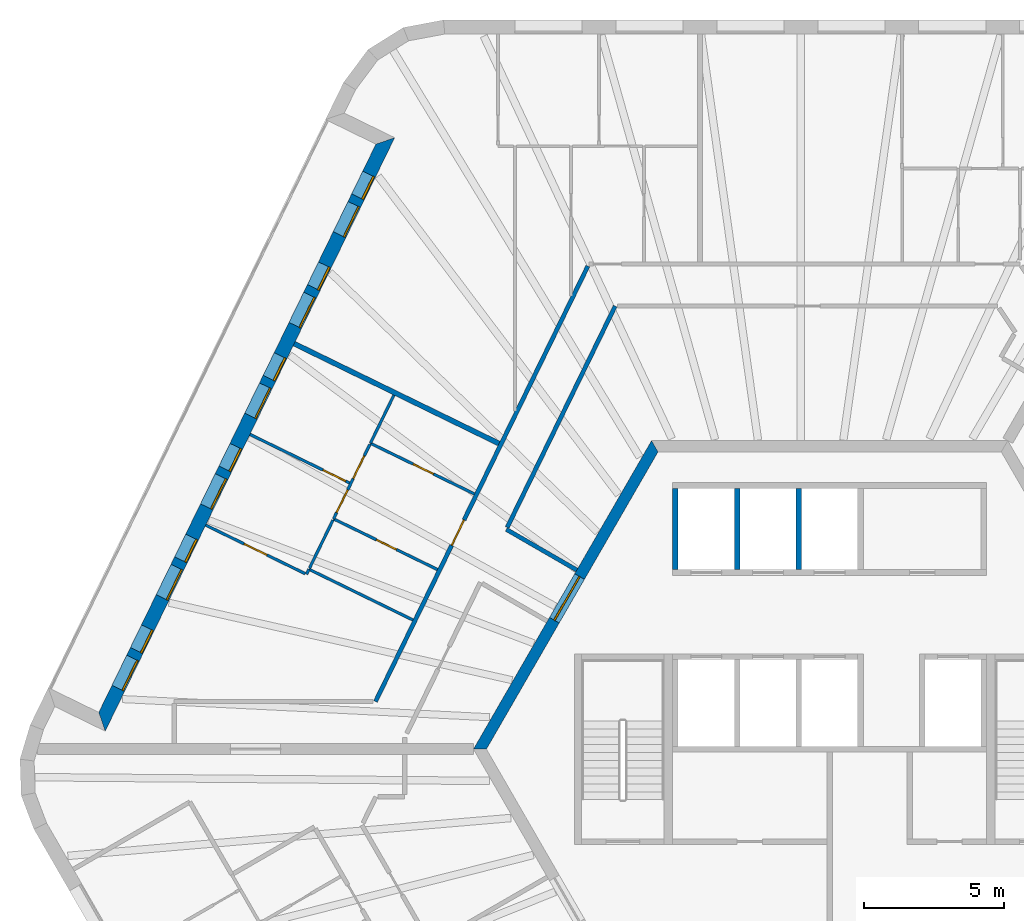
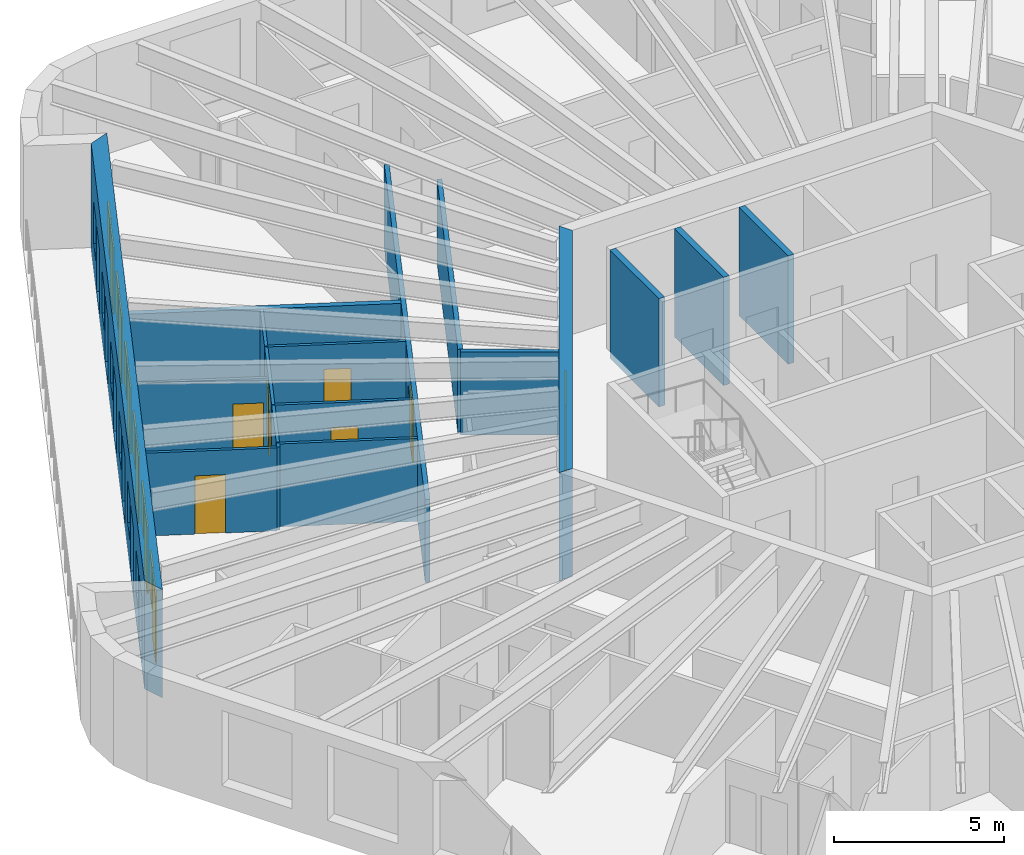
# One storey, part 8 of 12: 18 walls, 14 doors, 6 windows, 20 openings.
"""IFC4 building model written with IfcOpenShell, lengths in metres."""

from ifc_helpers import new_model, si_unit, direction, frame, frame_2d, origin, place, context, subcontext, project, spatial, polyline, rectangle, outline, extrude, material, layer, layer_set, type_object, element, fill, save


model = new_model("IFC4")

# Units and contexts
model_context = context("Model", 3, precision=1e-05, world=origin(), true_north=direction((0.0, 1.0)))
body_context = subcontext(model_context, "Body", "Model", "MODEL_VIEW")
ifc_project = project(units=[si_unit("LENGTHUNIT", "METRE"), si_unit("AREAUNIT", "SQUARE_METRE"), si_unit("VOLUMEUNIT", "CUBIC_METRE"), si_unit("PLANEANGLEUNIT", "RADIAN"), si_unit("MASSUNIT", "GRAM", prefix="KILO")], contexts=[model_context])

# Site, building, storey
site_placement = place(None, origin())
site = spatial("IfcSite", under=ifc_project, at=site_placement, CompositionType="ELEMENT")
building_placement = place(site_placement, origin())
building = spatial("IfcBuilding", under=site, at=building_placement, Name="Tarnside Tower", CompositionType="ELEMENT")
storey_placement = place(building_placement, frame((0.0, 0.0, 283.5)))
storey = spatial("IfcBuildingStorey", under=building, at=storey_placement, Name="L68", CompositionType="ELEMENT", Elevation=283.5)

# Wall
ifc_material_1 = material(Name="Gypsum board partition on steel studs", Category="steel")
ifc_layer_1 = layer(ifc_material_1, 0.10009765625)
ifc_layer_set_1 = layer_set([ifc_layer_1], Name="Bathroom wall 100")
wall_type_1 = type_object("IfcWallType", Name="Bathroom wall 100", PredefinedType="PARTITIONING", material=ifc_layer_set_1)
wall_1_placement = place(storey_placement, frame((-14.860107421875, 4.60498046875, 0.0), z_axis=(0.0, 0.0, 1.0), x_axis=(-0.898787215731, 0.438385151252, 0.0)))
element("IfcWall", 1, at=wall_1_placement, inside=storey, type_object=wall_type_1, Name="Bathroom wall 22109", PredefinedType="PARTITIONING", context=body_context, shape_type="SweptSolid", body=[
    extrude(rectangle(XDim=4.125, YDim=0.10009765625, at=frame_2d((2.0625, 0.0))), origin(), (0.0, 0.0, 1.0), 2.98779296875),
])

# Wall, opening, door
wall_2_placement = place(storey_placement, frame((-12.66845703125, 9.09912109375, 0.0), z_axis=(0.0, 0.0, 1.0), x_axis=(-0.898810534939, 0.438337338454, 0.0)))
wall_2 = element("IfcWall", 2, at=wall_2_placement, inside=storey, type_object=wall_type_1, Name="Bathroom wall 22110", PredefinedType="PARTITIONING", context=body_context, shape_type="SweptSolid", body=[
    extrude(rectangle(XDim=4.125, YDim=0.10009765625, at=frame_2d((2.0625, 0.0))), origin(), (0.0, 0.0, 1.0), 2.98779296875),
])
opening_1_placement = place(wall_2_placement, frame((1.625, 0.0, 0.0)))
opening_1 = element("IfcOpeningElement", 3, at=opening_1_placement, cuts=wall_2, Name="Opening D-B1", PredefinedType="OPENING", context=body_context, shape_type="SweptSolid", body=[
    extrude(rectangle(XDim=0.800048828125, YDim=2.10009765625, at=frame_2d((0.39990234375, 1.050048828125))), frame((0.0, 0.06005859375, 0.0), z_axis=(0.0, -1.0, 0.0), x_axis=(1.0, 0.0, 0.0)), (0.0, 0.0, 1.0), 0.1201171875),
])
ifc_material_2 = material(Name="Timber door leaf", Category="wood")
door_type_1 = type_object("IfcDoorType", Name="Bathroom door 800", OperationType="NOTDEFINED", PredefinedType="DOOR", material=ifc_material_2)
door_1_placement = place(opening_1_placement, origin())
door_1 = element("IfcDoor", 4, at=door_1_placement, inside=storey, type_object=door_type_1, Name="Bathroom door 22022", OperationType="SINGLE_SWING_RIGHT", OverallHeight=2.10009765625, OverallWidth=0.800048828125, PredefinedType="DOOR", context=body_context, shape_type="SweptSolid", body=[
    extrude(rectangle(XDim=0.800048828125, YDim=2.10009765625, at=frame_2d((0.39990234375, 1.050048828125))), frame((0.0, 0.02490234375, 0.0), z_axis=(0.0, -1.0, 0.0), x_axis=(1.0, 0.0, 0.0)), (0.0, 0.0, 1.0), 0.050048828125),
])
fill(opening_1, door_1)

wall_3_placement = place(storey_placement, frame((-17.69091796875, 8.2109375, 0.0), z_axis=(0.0, 0.0, 1.0), x_axis=(0.898787215731, -0.438385151252, 0.0)))
wall_3 = element("IfcWall", 5, at=wall_3_placement, inside=storey, type_object=wall_type_1, Name="Bathroom wall 22113", PredefinedType="PARTITIONING", context=body_context, shape_type="SweptSolid", body=[
    extrude(rectangle(XDim=4.125, YDim=0.10009765625, at=frame_2d((2.0625, 0.0))), origin(), (0.0, 0.0, 1.0), 2.98779296875),
])
opening_2_placement = place(wall_3_placement, frame((1.699951171875, 0.0, 0.0)))
opening_2 = element("IfcOpeningElement", 6, at=opening_2_placement, cuts=wall_3, Name="Opening D-B1", PredefinedType="OPENING", context=body_context, shape_type="SweptSolid", body=[
    extrude(rectangle(XDim=0.800048828125, YDim=2.10009765625, at=frame_2d((0.39990234375, 1.050048828125))), frame((0.0, 0.06005859375, 0.0), z_axis=(0.0, -1.0, 0.0), x_axis=(1.0, 0.0, 0.0)), (0.0, 0.0, 1.0), 0.1201171875),
])
door_2_placement = place(opening_2_placement, origin())
door_2 = element("IfcDoor", 7, at=door_2_placement, inside=storey, type_object=door_type_1, Name="Bathroom door 22029", OperationType="SINGLE_SWING_LEFT", OverallHeight=2.10009765625, OverallWidth=0.800048828125, PredefinedType="DOOR", context=body_context, shape_type="SweptSolid", body=[
    extrude(rectangle(XDim=0.800048828125, YDim=2.10009765625, at=frame_2d((0.39990234375, 1.050048828125))), frame((0.0, 0.02490234375, 0.0), z_axis=(0.0, -1.0, 0.0), x_axis=(1.0, 0.0, 0.0)), (0.0, 0.0, 1.0), 0.050048828125),
])
fill(opening_2, door_2)

# Walls
wall_4_placement = place(storey_placement, frame((-15.53857421875, 12.6240234375, 0.0), z_axis=(0.0, 0.0, 1.0), x_axis=(-0.438355705964, -0.898801577128, 0.0)))
element("IfcWall", 8, at=wall_4_placement, inside=storey, type_object=wall_type_1, Name="Bathroom wall 22114", PredefinedType="PARTITIONING", context=body_context, shape_type="SweptSolid", body=[
    extrude(rectangle(XDim=1.912109375, YDim=0.10009765625, at=frame_2d((0.9560546875, 0.0))), origin(), (0.0, 0.0, 1.0), 2.98779296875),
])
wall_5_placement = place(storey_placement, frame((-18.5458984375, 6.458251953125, 0.0), z_axis=(0.0, 0.0, 1.0), x_axis=(0.43840337997, 0.898778324411, 0.0)))
element("IfcWall", 9, at=wall_5_placement, inside=storey, type_object=wall_type_1, Name="Bathroom wall 22116", PredefinedType="PARTITIONING", context=body_context, shape_type="SweptSolid", body=[
    extrude(rectangle(XDim=1.900146484375, YDim=0.10009765625, at=frame_2d((0.9501953125, 0.0))), origin(), (0.0, 0.0, 1.0), 2.98779296875),
])

# Wall, opening, door
ifc_material_3 = material(Name="Concrete C60/75", Category="concrete")
ifc_layer_2 = layer(ifc_material_3, 0.39990234375)
ifc_layer_set_2 = layer_set([ifc_layer_2], Name="Core wall Z3 400 C60/75")
wall_type_2 = type_object("IfcWallType", Name="Core wall Z3 400 C60/75", PredefinedType="SHEAR", material=ifc_layer_set_2)
wall_6_placement = place(storey_placement, frame((-6.2353515625, 10.800048828125, -0.14990234375), z_axis=(0.0, 0.0, 1.0), x_axis=(-0.499996419489, -0.866027470984, 0.0)))
wall_6 = element("IfcWall", 10, at=wall_6_placement, inside=storey, type_object=wall_type_2, Name="L68 core wall face 2", PredefinedType="SHEAR", context=body_context, shape_type="SweptSolid", body=[
    extrude(outline(polyline([(-0.115478515625, -0.199951171875), (12.586181640625, -0.199951171875), (12.355224609375, 0.199951171875), (0.115478515625, 0.199951171875), (-0.115478515625, -0.199951171875)])), origin(), (0.0, 0.0, 1.0), 3.89990234375),
])
opening_3_placement = place(wall_6_placement, frame((5.3642578125, 0.0, 0.14990234375)))
opening_3 = element("IfcOpeningElement", 11, at=opening_3_placement, cuts=wall_6, Name="Opening CD-LOB", PredefinedType="OPENING", context=body_context, shape_type="SweptSolid", body=[
    extrude(rectangle(XDim=1.800048828125, YDim=2.39990234375, at=frame_2d((0.89990234375, 1.199951171875))), frame((0.0, 0.2099609375, 0.0), z_axis=(0.0, -1.0, 0.0), x_axis=(1.0, 0.0, 0.0)), (0.0, 0.0, 1.0), 0.419921875),
])
ifc_material_4 = material(Name="Steel fire door", Category="steel")
door_type_2 = type_object("IfcDoorType", Name="Lobby double door FD30S 1800x2400", OperationType="NOTDEFINED", PredefinedType="DOOR", material=ifc_material_4)
door_3_placement = place(opening_3_placement, origin())
door_3 = element("IfcDoor", 12, at=door_3_placement, inside=storey, type_object=door_type_2, Name="L68 core door P1", OperationType="DOUBLE_DOOR_SINGLE_SWING", OverallHeight=2.39990234375, OverallWidth=1.800048828125, PredefinedType="DOOR", context=body_context, shape_type="SweptSolid", body=[
    extrude(rectangle(XDim=1.800048828125, YDim=2.39990234375, at=frame_2d((0.89990234375, 1.199951171875))), frame((0.0, 0.02490234375, 0.0), z_axis=(0.0, -1.0, 0.0), x_axis=(1.0, 0.0, 0.0)), (0.0, 0.0, 1.0), 0.050048828125),
])
fill(opening_3, door_3)

ifc_layer_3 = layer(ifc_material_1, 0.14990234375)
ifc_layer_set_3 = layer_set([ifc_layer_3], Name="Corridor wall 150 EI 60")
wall_type_3 = type_object("IfcWallType", Name="Corridor wall 150 EI 60", PredefinedType="PARTITIONING", material=ifc_layer_set_3)
wall_7_placement = place(storey_placement, frame((-8.62158203125, 17.22509765625, 0.0), z_axis=(0.0, 0.0, 1.0), x_axis=(-0.438366544921, -0.898796290765, 0.0)))
wall_7 = element("IfcWall", 13, at=wall_7_placement, inside=storey, type_object=wall_type_3, Name="Corridor wall 22009", PredefinedType="PARTITIONING", context=body_context, shape_type="SweptSolid", body=[
    extrude(rectangle(XDim=17.273193359375, YDim=0.14990234375, at=frame_2d((8.63671875, 0.0))), origin(), (0.0, 0.0, 1.0), 2.98779296875),
])
opening_4_placement = place(wall_7_placement, frame((10.07763671875, 0.0, 0.0)))
opening_4 = element("IfcOpeningElement", 14, at=opening_4_placement, cuts=wall_7, Name="Opening D-E1", PredefinedType="OPENING", context=body_context, shape_type="SweptSolid", body=[
    extrude(rectangle(XDim=1.0, YDim=2.10009765625, at=frame_2d((0.5, 1.050048828125))), frame((0.0, 0.0849609375, 0.0), z_axis=(0.0, -1.0, 0.0), x_axis=(1.0, 0.0, 0.0)), (0.0, 0.0, 1.0), 0.169921875),
])
door_type_3 = type_object("IfcDoorType", Name="Unit entrance door 1000 FD30S", OperationType="NOTDEFINED", PredefinedType="DOOR", material=ifc_material_2)
door_4_placement = place(opening_4_placement, origin())
door_4 = element("IfcDoor", 15, at=door_4_placement, inside=storey, type_object=door_type_3, Name="Unit door 22021", OperationType="SINGLE_SWING_LEFT", OverallHeight=2.10009765625, OverallWidth=1.0, PredefinedType="DOOR", context=body_context, shape_type="SweptSolid", body=[
    extrude(rectangle(XDim=1.0, YDim=2.10009765625, at=frame_2d((0.5, 1.050048828125))), frame((0.0, 0.02490234375, 0.0), z_axis=(0.0, -1.0, 0.0), x_axis=(1.0, 0.0, 0.0)), (0.0, 0.0, 1.0), 0.050048828125),
])
fill(opening_4, door_4)

# Walls
wall_8_placement = place(storey_placement, frame((-9.015625, 6.38427734375, 0.0), z_axis=(0.0, 0.0, 1.0), x_axis=(-0.866010648346, 0.500025556299, 0.0)))
element("IfcWall", 16, at=wall_8_placement, inside=storey, type_object=wall_type_3, Name="Corridor wall 22020", PredefinedType="PARTITIONING", context=body_context, shape_type="SweptSolid", body=[
    extrude(rectangle(XDim=2.905029296875, YDim=0.14990234375, at=frame_2d((1.45263671875, 0.0))), origin(), (0.0, 0.0, 1.0), 2.98779296875),
])
wall_9_placement = place(storey_placement, frame((-11.49853515625, 7.904541015625, 0.0), z_axis=(0.0, 0.0, 1.0), x_axis=(0.438365041944, 0.898797023805, 0.0)))
element("IfcWall", 17, at=wall_9_placement, inside=storey, type_object=wall_type_3, Name="Corridor wall 22021", PredefinedType="PARTITIONING", context=body_context, shape_type="SweptSolid", body=[
    extrude(rectangle(XDim=8.784423828125, YDim=0.14990234375, at=frame_2d((4.39208984375, 0.0))), origin(), (0.0, 0.0, 1.0), 2.98779296875),
])
ifc_layer_4 = layer(ifc_material_1, 0.179931640625)
ifc_layer_set_4 = layer_set([ifc_layer_4], Name="Demising wall 180 EI 60")
wall_type_4 = type_object("IfcWallType", Name="Demising wall 180 EI 60", PredefinedType="PARTITIONING", material=ifc_layer_set_4)
wall_10_placement = place(storey_placement, frame((-19.09423828125, 14.45849609375, 0.0), z_axis=(0.0, 0.0, 1.0), x_axis=(0.898794723364, -0.438369758597, 0.0)))
element("IfcWall", 18, at=wall_10_placement, inside=storey, type_object=wall_type_4, Name="Demising wall 22098", PredefinedType="PARTITIONING", context=body_context, shape_type="SweptSolid", body=[
    extrude(rectangle(XDim=8.125, YDim=0.179931640625, at=frame_2d((4.0625, 0.0))), origin(), (0.0, 0.0, 1.0), 2.98779296875),
])
ifc_material_5 = material(Name="Concrete C40/50", Category="concrete")
ifc_layer_5 = layer(ifc_material_5, 0.199951171875)
ifc_layer_set_5 = layer_set([ifc_layer_5], Name="Lift shaft wall 200 C40/50")
wall_type_5 = type_object("IfcWallType", Name="Lift shaft wall 200 C40/50", PredefinedType="SHEAR", material=ifc_layer_set_5)
for number, where, z_axis, x_axis, name in (
    (19, (-5.5, 6.39990234375, -0.25), (0.0, 0.0, 1.0), (0.0, 1.0, 0.0), "L68 lift shaft partition R11"),
    (20, (-3.300048828125, 6.39990234375, -0.25), (0.0, 0.0, 1.0), (0.0, 1.0, 0.0), "L68 lift shaft partition R12"),
    (21, (-1.10009765625, 6.39990234375, -0.25), (0.0, 0.0, 1.0), (0.0, 1.0, 0.0), "L68 lift shaft partition R13"),
):
    element("IfcWall", number, at=place(storey_placement, frame(where, z_axis=z_axis, x_axis=x_axis)), inside=storey, type_object=wall_type_5, Name=name, PredefinedType="SHEAR", context=body_context, shape_type="SweptSolid", body=[
        extrude(rectangle(XDim=2.900146484375, YDim=0.199951171875, at=frame_2d((1.4501953125, 0.0))), origin(), (0.0, 0.0, 1.0), 3.89990234375),
    ])

# Wall, openings, doors, windows
ifc_material_6 = material(Name="Dark zinc cladding")
ifc_layer_6 = layer(ifc_material_6, 0.10205078125)
ifc_material_7 = material(Name="Concrete C60/75 precast", Category="concrete")
ifc_layer_7 = layer(ifc_material_7, 0.298095703125)
ifc_material_8 = material(Name="Mineral wool insulation")
ifc_layer_8 = layer(ifc_material_8, 0.10009765625)
ifc_layer_set_6 = layer_set([ifc_layer_6, ifc_layer_7, ifc_layer_8], Name="Loggia wall 500 zinc faced")
wall_type_6 = type_object("IfcWallType", Name="Loggia wall 500 zinc faced", PredefinedType="SOLIDWALL", material=ifc_layer_set_6)
wall_11_placement = place(storey_placement, frame((-15.845947265625, 21.6884765625, -0.14990234375), z_axis=(0.0, 0.0, 1.0), x_axis=(-0.438377502627, -0.898790946322, 0.0)))
wall_11 = element("IfcWall", 22, at=wall_11_placement, inside=storey, type_object=wall_type_6, Name="Tube wall L68 F2 back 06", PredefinedType="SOLIDWALL", context=body_context, shape_type="SweptSolid", body=[
    extrude(outline(polyline([(0.25, -0.25), (22.794677734375, -0.25), (23.294677734375, 0.25), (-0.25, 0.25), (0.25, -0.25)])), origin(), (0.0, 0.0, 1.0), 3.89990234375),
])
opening_5_placement = place(wall_11_placement, frame((1.322509765625, 0.0, 1.050048828125)))
opening_5 = element("IfcOpeningElement", 23, at=opening_5_placement, cuts=wall_11, Name="Opening WL500", PredefinedType="OPENING", context=body_context, shape_type="SweptSolid", body=[
    extrude(rectangle(XDim=0.89990234375, YDim=1.5, at=frame_2d((0.449951171875, 0.75))), frame((0.0, 0.260009765625, 0.0), z_axis=(0.0, -1.0, 0.0), x_axis=(1.0, 0.0, 0.0)), (0.0, 0.0, 1.0), 0.52001953125),
])
opening_6_placement = place(wall_11_placement, frame((2.5224609375, 0.0, 0.14990234375)))
opening_6 = element("IfcOpeningElement", 24, at=opening_6_placement, cuts=wall_11, Name="Opening DB500", PredefinedType="OPENING", context=body_context, shape_type="SweptSolid", body=[
    extrude(rectangle(XDim=1.199951171875, YDim=2.39990234375, at=frame_2d((0.60009765625, 1.199951171875))), frame((0.0, 0.260009765625, 0.0), z_axis=(0.0, -1.0, 0.0), x_axis=(1.0, 0.0, 0.0)), (0.0, 0.0, 1.0), 0.52001953125),
])
opening_7_placement = place(wall_11_placement, frame((4.92236328125, 0.0, 1.050048828125)))
opening_7 = element("IfcOpeningElement", 25, at=opening_7_placement, cuts=wall_11, Name="Opening WL500", PredefinedType="OPENING", context=body_context, shape_type="SweptSolid", body=[
    extrude(rectangle(XDim=0.89990234375, YDim=1.5, at=frame_2d((0.449951171875, 0.75))), frame((0.0, 0.260009765625, 0.0), z_axis=(0.0, -1.0, 0.0), x_axis=(1.0, 0.0, 0.0)), (0.0, 0.0, 1.0), 0.52001953125),
])
opening_8_placement = place(wall_11_placement, frame((6.122314453125, 0.0, 0.14990234375)))
opening_8 = element("IfcOpeningElement", 26, at=opening_8_placement, cuts=wall_11, Name="Opening DB500", PredefinedType="OPENING", context=body_context, shape_type="SweptSolid", body=[
    extrude(rectangle(XDim=1.199951171875, YDim=2.39990234375, at=frame_2d((0.60009765625, 1.199951171875))), frame((0.0, 0.260009765625, 0.0), z_axis=(0.0, -1.0, 0.0), x_axis=(1.0, 0.0, 0.0)), (0.0, 0.0, 1.0), 0.52001953125),
])
opening_9_placement = place(wall_11_placement, frame((8.5224609375, 0.0, 1.050048828125)))
opening_9 = element("IfcOpeningElement", 27, at=opening_9_placement, cuts=wall_11, Name="Opening WL500", PredefinedType="OPENING", context=body_context, shape_type="SweptSolid", body=[
    extrude(rectangle(XDim=0.89990234375, YDim=1.5, at=frame_2d((0.449951171875, 0.75))), frame((0.0, 0.260009765625, 0.0), z_axis=(0.0, -1.0, 0.0), x_axis=(1.0, 0.0, 0.0)), (0.0, 0.0, 1.0), 0.52001953125),
])
opening_10_placement = place(wall_11_placement, frame((9.722412109375, 0.0, 0.14990234375)))
opening_10 = element("IfcOpeningElement", 28, at=opening_10_placement, cuts=wall_11, Name="Opening DB500", PredefinedType="OPENING", context=body_context, shape_type="SweptSolid", body=[
    extrude(rectangle(XDim=1.199951171875, YDim=2.39990234375, at=frame_2d((0.60009765625, 1.199951171875))), frame((0.0, 0.260009765625, 0.0), z_axis=(0.0, -1.0, 0.0), x_axis=(1.0, 0.0, 0.0)), (0.0, 0.0, 1.0), 0.52001953125),
])
opening_11_placement = place(wall_11_placement, frame((12.122314453125, 0.0, 1.050048828125)))
opening_11 = element("IfcOpeningElement", 29, at=opening_11_placement, cuts=wall_11, Name="Opening WL500", PredefinedType="OPENING", context=body_context, shape_type="SweptSolid", body=[
    extrude(rectangle(XDim=0.89990234375, YDim=1.5, at=frame_2d((0.449951171875, 0.75))), frame((0.0, 0.260009765625, 0.0), z_axis=(0.0, -1.0, 0.0), x_axis=(1.0, 0.0, 0.0)), (0.0, 0.0, 1.0), 0.52001953125),
])
opening_12_placement = place(wall_11_placement, frame((13.322509765625, 0.0, 0.14990234375)))
opening_12 = element("IfcOpeningElement", 30, at=opening_12_placement, cuts=wall_11, Name="Opening DB500", PredefinedType="OPENING", context=body_context, shape_type="SweptSolid", body=[
    extrude(rectangle(XDim=1.199951171875, YDim=2.39990234375, at=frame_2d((0.60009765625, 1.199951171875))), frame((0.0, 0.260009765625, 0.0), z_axis=(0.0, -1.0, 0.0), x_axis=(1.0, 0.0, 0.0)), (0.0, 0.0, 1.0), 0.52001953125),
])
opening_13_placement = place(wall_11_placement, frame((15.722412109375, 0.0, 1.050048828125)))
opening_13 = element("IfcOpeningElement", 31, at=opening_13_placement, cuts=wall_11, Name="Opening WL500", PredefinedType="OPENING", context=body_context, shape_type="SweptSolid", body=[
    extrude(rectangle(XDim=0.89990234375, YDim=1.5, at=frame_2d((0.449951171875, 0.75))), frame((0.0, 0.260009765625, 0.0), z_axis=(0.0, -1.0, 0.0), x_axis=(1.0, 0.0, 0.0)), (0.0, 0.0, 1.0), 0.52001953125),
])
opening_14_placement = place(wall_11_placement, frame((16.92236328125, 0.0, 0.14990234375)))
opening_14 = element("IfcOpeningElement", 32, at=opening_14_placement, cuts=wall_11, Name="Opening DB500", PredefinedType="OPENING", context=body_context, shape_type="SweptSolid", body=[
    extrude(rectangle(XDim=1.199951171875, YDim=2.39990234375, at=frame_2d((0.60009765625, 1.199951171875))), frame((0.0, 0.260009765625, 0.0), z_axis=(0.0, -1.0, 0.0), x_axis=(1.0, 0.0, 0.0)), (0.0, 0.0, 1.0), 0.52001953125),
])
opening_15_placement = place(wall_11_placement, frame((19.322509765625, 0.0, 1.050048828125)))
opening_15 = element("IfcOpeningElement", 33, at=opening_15_placement, cuts=wall_11, Name="Opening WL500", PredefinedType="OPENING", context=body_context, shape_type="SweptSolid", body=[
    extrude(rectangle(XDim=0.89990234375, YDim=1.5, at=frame_2d((0.449951171875, 0.75))), frame((0.0, 0.260009765625, 0.0), z_axis=(0.0, -1.0, 0.0), x_axis=(1.0, 0.0, 0.0)), (0.0, 0.0, 1.0), 0.52001953125),
])
opening_16_placement = place(wall_11_placement, frame((20.5224609375, 0.0, 0.14990234375)))
opening_16 = element("IfcOpeningElement", 34, at=opening_16_placement, cuts=wall_11, Name="Opening DB500", PredefinedType="OPENING", context=body_context, shape_type="SweptSolid", body=[
    extrude(rectangle(XDim=1.199951171875, YDim=2.39990234375, at=frame_2d((0.60009765625, 1.199951171875))), frame((0.0, 0.260009765625, 0.0), z_axis=(0.0, -1.0, 0.0), x_axis=(1.0, 0.0, 0.0)), (0.0, 0.0, 1.0), 0.52001953125),
])
ifc_material_9 = material(Name="Aluminium-framed double glazing", Category="aluminium")
door_type_4 = type_object("IfcDoorType", Name="Balcony sliding door 1200 x 2400 in 500 wall", OperationType="SLIDING_TO_LEFT", PredefinedType="DOOR", material=ifc_material_9)
door_5_placement = place(opening_6_placement, frame((0.0, 0.1748046875, 0.0)))
door_5 = element("IfcDoor", 35, at=door_5_placement, inside=storey, type_object=door_type_4, Name="E.BD.L68.F2.00", OperationType="SLIDING_TO_LEFT", OverallHeight=2.39990234375, OverallWidth=1.199951171875, PredefinedType="DOOR", context=body_context, shape_type="SweptSolid", body=[
    extrude(rectangle(XDim=1.199951171875, YDim=2.39990234375, at=frame_2d((0.60009765625, 1.199951171875))), frame((0.0, 0.02490234375, 0.0), z_axis=(0.0, -1.0, 0.0), x_axis=(1.0, 0.0, 0.0)), (0.0, 0.0, 1.0), 0.050048828125),
])
fill(opening_6, door_5)
door_6_placement = place(opening_8_placement, frame((0.0, 0.1748046875, 0.0)))
door_6 = element("IfcDoor", 36, at=door_6_placement, inside=storey, type_object=door_type_4, Name="E.BD.L68.F2.01", OperationType="SLIDING_TO_LEFT", OverallHeight=2.39990234375, OverallWidth=1.199951171875, PredefinedType="DOOR", context=body_context, shape_type="SweptSolid", body=[
    extrude(rectangle(XDim=1.199951171875, YDim=2.39990234375, at=frame_2d((0.60009765625, 1.199951171875))), frame((0.0, 0.02490234375, 0.0), z_axis=(0.0, -1.0, 0.0), x_axis=(1.0, 0.0, 0.0)), (0.0, 0.0, 1.0), 0.050048828125),
])
fill(opening_8, door_6)
door_7_placement = place(opening_10_placement, frame((0.0, 0.1748046875, 0.0)))
door_7 = element("IfcDoor", 37, at=door_7_placement, inside=storey, type_object=door_type_4, Name="E.BD.L68.F2.02", OperationType="SLIDING_TO_LEFT", OverallHeight=2.39990234375, OverallWidth=1.199951171875, PredefinedType="DOOR", context=body_context, shape_type="SweptSolid", body=[
    extrude(rectangle(XDim=1.199951171875, YDim=2.39990234375, at=frame_2d((0.60009765625, 1.199951171875))), frame((0.0, 0.02490234375, 0.0), z_axis=(0.0, -1.0, 0.0), x_axis=(1.0, 0.0, 0.0)), (0.0, 0.0, 1.0), 0.050048828125),
])
fill(opening_10, door_7)
door_8_placement = place(opening_12_placement, frame((0.0, 0.1748046875, 0.0)))
door_8 = element("IfcDoor", 38, at=door_8_placement, inside=storey, type_object=door_type_4, Name="E.BD.L68.F2.03", OperationType="SLIDING_TO_LEFT", OverallHeight=2.39990234375, OverallWidth=1.199951171875, PredefinedType="DOOR", context=body_context, shape_type="SweptSolid", body=[
    extrude(rectangle(XDim=1.199951171875, YDim=2.39990234375, at=frame_2d((0.60009765625, 1.199951171875))), frame((0.0, 0.02490234375, 0.0), z_axis=(0.0, -1.0, 0.0), x_axis=(1.0, 0.0, 0.0)), (0.0, 0.0, 1.0), 0.050048828125),
])
fill(opening_12, door_8)
door_9_placement = place(opening_14_placement, frame((0.0, 0.1748046875, 0.0)))
door_9 = element("IfcDoor", 39, at=door_9_placement, inside=storey, type_object=door_type_4, Name="E.BD.L68.F2.04", OperationType="SLIDING_TO_LEFT", OverallHeight=2.39990234375, OverallWidth=1.199951171875, PredefinedType="DOOR", context=body_context, shape_type="SweptSolid", body=[
    extrude(rectangle(XDim=1.199951171875, YDim=2.39990234375, at=frame_2d((0.60009765625, 1.199951171875))), frame((0.0, 0.02490234375, 0.0), z_axis=(0.0, -1.0, 0.0), x_axis=(1.0, 0.0, 0.0)), (0.0, 0.0, 1.0), 0.050048828125),
])
fill(opening_14, door_9)
door_10_placement = place(opening_16_placement, frame((0.0, 0.1748046875, 0.0)))
door_10 = element("IfcDoor", 40, at=door_10_placement, inside=storey, type_object=door_type_4, Name="E.BD.L68.F2.05", OperationType="SLIDING_TO_LEFT", OverallHeight=2.39990234375, OverallWidth=1.199951171875, PredefinedType="DOOR", context=body_context, shape_type="SweptSolid", body=[
    extrude(rectangle(XDim=1.199951171875, YDim=2.39990234375, at=frame_2d((0.60009765625, 1.199951171875))), frame((0.0, 0.02490234375, 0.0), z_axis=(0.0, -1.0, 0.0), x_axis=(1.0, 0.0, 0.0)), (0.0, 0.0, 1.0), 0.050048828125),
])
fill(opening_16, door_10)
window_type = type_object("IfcWindowType", Name="Loggia window 900 x 1500 in 500 wall", PartitioningType="SINGLE_PANEL", PredefinedType="WINDOW", material=ifc_material_9)
window_1_placement = place(opening_5_placement, frame((0.0, 0.179931640625, 0.0)))
window_1 = element("IfcWindow", 41, at=window_1_placement, inside=storey, type_object=window_type, Name="E.LW.L68.F2.00", OverallHeight=1.5, OverallWidth=0.89990234375, PartitioningType="SINGLE_PANEL", PredefinedType="WINDOW", context=body_context, shape_type="SweptSolid", body=[
    extrude(rectangle(XDim=0.89990234375, YDim=1.5, at=frame_2d((0.449951171875, 0.75))), frame((0.0, 0.030029296875, 0.0), z_axis=(0.0, -1.0, 0.0), x_axis=(1.0, 0.0, 0.0)), (0.0, 0.0, 1.0), 0.06005859375),
])
fill(opening_5, window_1)
window_2_placement = place(opening_7_placement, frame((0.0, 0.179931640625, 0.0)))
window_2 = element("IfcWindow", 42, at=window_2_placement, inside=storey, type_object=window_type, Name="E.LW.L68.F2.01", OverallHeight=1.5, OverallWidth=0.89990234375, PartitioningType="SINGLE_PANEL", PredefinedType="WINDOW", context=body_context, shape_type="SweptSolid", body=[
    extrude(rectangle(XDim=0.89990234375, YDim=1.5, at=frame_2d((0.449951171875, 0.75))), frame((0.0, 0.030029296875, 0.0), z_axis=(0.0, -1.0, 0.0), x_axis=(1.0, 0.0, 0.0)), (0.0, 0.0, 1.0), 0.06005859375),
])
fill(opening_7, window_2)
window_3_placement = place(opening_9_placement, frame((0.0, 0.179931640625, 0.0)))
window_3 = element("IfcWindow", 43, at=window_3_placement, inside=storey, type_object=window_type, Name="E.LW.L68.F2.02", OverallHeight=1.5, OverallWidth=0.89990234375, PartitioningType="SINGLE_PANEL", PredefinedType="WINDOW", context=body_context, shape_type="SweptSolid", body=[
    extrude(rectangle(XDim=0.89990234375, YDim=1.5, at=frame_2d((0.449951171875, 0.75))), frame((0.0, 0.030029296875, 0.0), z_axis=(0.0, -1.0, 0.0), x_axis=(1.0, 0.0, 0.0)), (0.0, 0.0, 1.0), 0.06005859375),
])
fill(opening_9, window_3)
window_4_placement = place(opening_11_placement, frame((0.0, 0.179931640625, 0.0)))
window_4 = element("IfcWindow", 44, at=window_4_placement, inside=storey, type_object=window_type, Name="E.LW.L68.F2.03", OverallHeight=1.5, OverallWidth=0.89990234375, PartitioningType="SINGLE_PANEL", PredefinedType="WINDOW", context=body_context, shape_type="SweptSolid", body=[
    extrude(rectangle(XDim=0.89990234375, YDim=1.5, at=frame_2d((0.449951171875, 0.75))), frame((0.0, 0.030029296875, 0.0), z_axis=(0.0, -1.0, 0.0), x_axis=(1.0, 0.0, 0.0)), (0.0, 0.0, 1.0), 0.06005859375),
])
fill(opening_11, window_4)
window_5_placement = place(opening_13_placement, frame((0.0, 0.179931640625, 0.0)))
window_5 = element("IfcWindow", 45, at=window_5_placement, inside=storey, type_object=window_type, Name="E.LW.L68.F2.04", OverallHeight=1.5, OverallWidth=0.89990234375, PartitioningType="SINGLE_PANEL", PredefinedType="WINDOW", context=body_context, shape_type="SweptSolid", body=[
    extrude(rectangle(XDim=0.89990234375, YDim=1.5, at=frame_2d((0.449951171875, 0.75))), frame((0.0, 0.030029296875, 0.0), z_axis=(0.0, -1.0, 0.0), x_axis=(1.0, 0.0, 0.0)), (0.0, 0.0, 1.0), 0.06005859375),
])
fill(opening_13, window_5)
window_6_placement = place(opening_15_placement, frame((0.0, 0.179931640625, 0.0)))
window_6 = element("IfcWindow", 46, at=window_6_placement, inside=storey, type_object=window_type, Name="E.LW.L68.F2.05", OverallHeight=1.5, OverallWidth=0.89990234375, PartitioningType="SINGLE_PANEL", PredefinedType="WINDOW", context=body_context, shape_type="SweptSolid", body=[
    extrude(rectangle(XDim=0.89990234375, YDim=1.5, at=frame_2d((0.449951171875, 0.75))), frame((0.0, 0.030029296875, 0.0), z_axis=(0.0, -1.0, 0.0), x_axis=(1.0, 0.0, 0.0)), (0.0, 0.0, 1.0), 0.06005859375),
])
fill(opening_15, window_6)

# Wall
ifc_layer_9 = layer(ifc_material_1, 0.10009765625)
ifc_layer_set_7 = layer_set([ifc_layer_9], Name="Partition 100")
wall_type_7 = type_object("IfcWallType", Name="Partition 100", PredefinedType="PARTITIONING", material=ifc_layer_set_7)
wall_12_placement = place(storey_placement, frame((-18.56689453125, 6.4150390625, 0.0), z_axis=(0.0, 0.0, 1.0), x_axis=(-0.438971536386, -0.898500968415, 0.0)))
element("IfcWall", 47, at=wall_12_placement, inside=storey, type_object=wall_type_7, Name="Partition wall 22107", PredefinedType="PARTITIONING", context=body_context, shape_type="SweptSolid", body=[
    extrude(rectangle(XDim=0.201904296875, YDim=0.10009765625, at=frame_2d((0.10107421875, 0.0))), origin(), (0.0, 0.0, 1.0), 2.98779296875),
])

# Wall, opening, door
wall_13_placement = place(storey_placement, frame((-18.700439453125, 6.255615234375, 0.0), z_axis=(0.0, 0.0, 1.0), x_axis=(-0.89879695829, 0.438365176273, 0.0)))
wall_13 = element("IfcWall", 48, at=wall_13_placement, inside=storey, type_object=wall_type_7, Name="Partition wall 22108", PredefinedType="PARTITIONING", context=body_context, shape_type="SweptSolid", body=[
    extrude(rectangle(XDim=3.94970703125, YDim=0.10009765625, at=frame_2d((1.974853515625, 0.0))), origin(), (0.0, 0.0, 1.0), 2.98779296875),
])
opening_17_placement = place(wall_13_placement, frame((1.52490234375, 0.0, 0.0)))
opening_17 = element("IfcOpeningElement", 49, at=opening_17_placement, cuts=wall_13, Name="Opening D-I1", PredefinedType="OPENING", context=body_context, shape_type="SweptSolid", body=[
    extrude(rectangle(XDim=0.89990234375, YDim=2.10009765625, at=frame_2d((0.449951171875, 1.050048828125))), frame((0.0, 0.06005859375, 0.0), z_axis=(0.0, -1.0, 0.0), x_axis=(1.0, 0.0, 0.0)), (0.0, 0.0, 1.0), 0.1201171875),
])
door_type_5 = type_object("IfcDoorType", Name="Internal door 900", OperationType="NOTDEFINED", PredefinedType="DOOR", material=ifc_material_2)
door_11_placement = place(opening_17_placement, origin())
door_11 = element("IfcDoor", 50, at=door_11_placement, inside=storey, type_object=door_type_5, Name="Internal door 22083", OperationType="SINGLE_SWING_RIGHT", OverallHeight=2.10009765625, OverallWidth=0.89990234375, PredefinedType="DOOR", context=body_context, shape_type="SweptSolid", body=[
    extrude(rectangle(XDim=0.89990234375, YDim=2.10009765625, at=frame_2d((0.449951171875, 1.050048828125))), frame((0.0, 0.02490234375, 0.0), z_axis=(0.0, -1.0, 0.0), x_axis=(1.0, 0.0, 0.0)), (0.0, 0.0, 1.0), 0.050048828125),
])
fill(opening_17, door_11)

# Wall, openings, doors
wall_14_placement = place(storey_placement, frame((-16.39697265625, 10.8642578125, 0.0), z_axis=(0.0, 0.0, 1.0), x_axis=(-0.438365010977, -0.898797038909, 0.0)))
wall_14 = element("IfcWall", 51, at=wall_14_placement, inside=storey, type_object=wall_type_7, Name="Partition wall 22111", PredefinedType="PARTITIONING", context=body_context, shape_type="SweptSolid", body=[
    extrude(rectangle(XDim=2.9541015625, YDim=0.10009765625, at=frame_2d((1.47705078125, 0.0))), origin(), (0.0, 0.0, 1.0), 2.98779296875),
])
opening_18_placement = place(wall_14_placement, frame((0.451904296875, 0.0, 0.0)))
opening_18 = element("IfcOpeningElement", 52, at=opening_18_placement, cuts=wall_14, Name="Opening D-I1", PredefinedType="OPENING", context=body_context, shape_type="SweptSolid", body=[
    extrude(rectangle(XDim=0.89990234375, YDim=2.10009765625, at=frame_2d((0.449951171875, 1.050048828125))), frame((0.0, 0.06005859375, 0.0), z_axis=(0.0, -1.0, 0.0), x_axis=(1.0, 0.0, 0.0)), (0.0, 0.0, 1.0), 0.1201171875),
])
opening_19_placement = place(wall_14_placement, frame((1.802001953125, 0.0, 0.0)))
opening_19 = element("IfcOpeningElement", 53, at=opening_19_placement, cuts=wall_14, Name="Opening D-I1", PredefinedType="OPENING", context=body_context, shape_type="SweptSolid", body=[
    extrude(rectangle(XDim=0.89990234375, YDim=2.10009765625, at=frame_2d((0.449951171875, 1.050048828125))), frame((0.0, 0.06005859375, 0.0), z_axis=(0.0, -1.0, 0.0), x_axis=(1.0, 0.0, 0.0)), (0.0, 0.0, 1.0), 0.1201171875),
])
door_12_placement = place(opening_18_placement, origin())
door_12 = element("IfcDoor", 54, at=door_12_placement, inside=storey, type_object=door_type_5, Name="Internal door 22024", OperationType="SINGLE_SWING_LEFT", OverallHeight=2.10009765625, OverallWidth=0.89990234375, PredefinedType="DOOR", context=body_context, shape_type="SweptSolid", body=[
    extrude(rectangle(XDim=0.89990234375, YDim=2.10009765625, at=frame_2d((0.449951171875, 1.050048828125))), frame((0.0, 0.02490234375, 0.0), z_axis=(0.0, -1.0, 0.0), x_axis=(1.0, 0.0, 0.0)), (0.0, 0.0, 1.0), 0.050048828125),
])
fill(opening_18, door_12)
door_13_placement = place(opening_19_placement, origin())
door_13 = element("IfcDoor", 55, at=door_13_placement, inside=storey, type_object=door_type_5, Name="Internal door 22028", OperationType="SINGLE_SWING_LEFT", OverallHeight=2.10009765625, OverallWidth=0.89990234375, PredefinedType="DOOR", context=body_context, shape_type="SweptSolid", body=[
    extrude(rectangle(XDim=0.89990234375, YDim=2.10009765625, at=frame_2d((0.449951171875, 1.050048828125))), frame((0.0, 0.02490234375, 0.0), z_axis=(0.0, -1.0, 0.0), x_axis=(1.0, 0.0, 0.0)), (0.0, 0.0, 1.0), 0.050048828125),
])
fill(opening_19, door_13)

# Wall, opening, door
wall_15_placement = place(storey_placement, frame((-20.67236328125, 11.22265625, 0.0), z_axis=(0.0, 0.0, 1.0), x_axis=(0.89879695829, -0.438365176273, 0.0)))
wall_15 = element("IfcWall", 56, at=wall_15_placement, inside=storey, type_object=wall_type_7, Name="Partition wall 22115", PredefinedType="PARTITIONING", context=body_context, shape_type="SweptSolid", body=[
    extrude(rectangle(XDim=3.94970703125, YDim=0.10009765625, at=frame_2d((1.974853515625, 0.0))), origin(), (0.0, 0.0, 1.0), 2.98779296875),
])
opening_20_placement = place(wall_15_placement, frame((2.89990234375, 0.0, 0.0)))
opening_20 = element("IfcOpeningElement", 57, at=opening_20_placement, cuts=wall_15, Name="Opening D-I1", PredefinedType="OPENING", context=body_context, shape_type="SweptSolid", body=[
    extrude(rectangle(XDim=0.89990234375, YDim=2.10009765625, at=frame_2d((0.449951171875, 1.050048828125))), frame((0.0, 0.06005859375, 0.0), z_axis=(0.0, -1.0, 0.0), x_axis=(1.0, 0.0, 0.0)), (0.0, 0.0, 1.0), 0.1201171875),
])
door_14_placement = place(opening_20_placement, origin())
door_14 = element("IfcDoor", 58, at=door_14_placement, inside=storey, type_object=door_type_5, Name="Internal door 22027", OperationType="SINGLE_SWING_RIGHT", OverallHeight=2.10009765625, OverallWidth=0.89990234375, PredefinedType="DOOR", context=body_context, shape_type="SweptSolid", body=[
    extrude(rectangle(XDim=0.89990234375, YDim=2.10009765625, at=frame_2d((0.449951171875, 1.050048828125))), frame((0.0, 0.02490234375, 0.0), z_axis=(0.0, -1.0, 0.0), x_axis=(1.0, 0.0, 0.0)), (0.0, 0.0, 1.0), 0.050048828125),
])
fill(opening_20, door_14)

save(model, "model.ifc")
